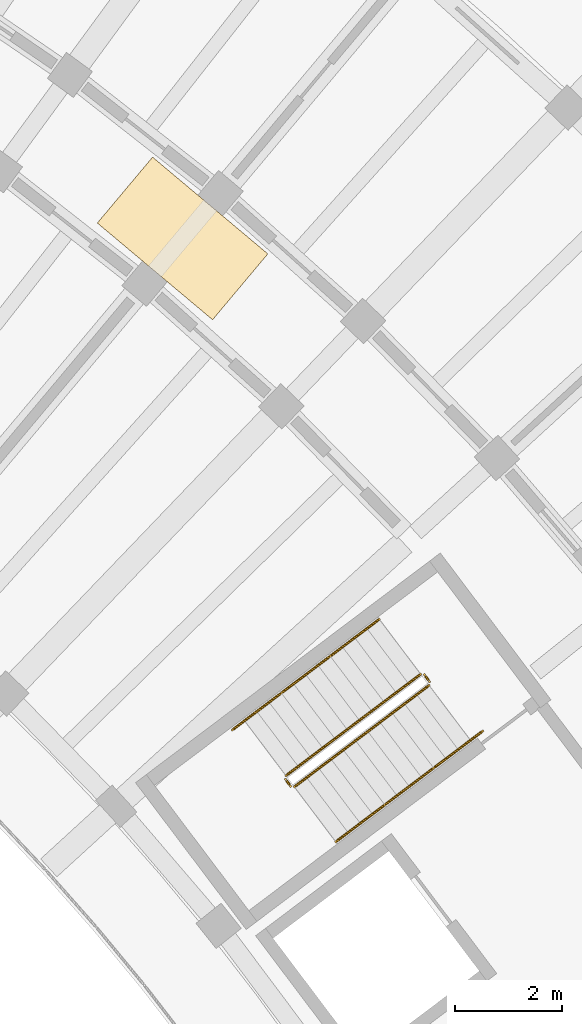
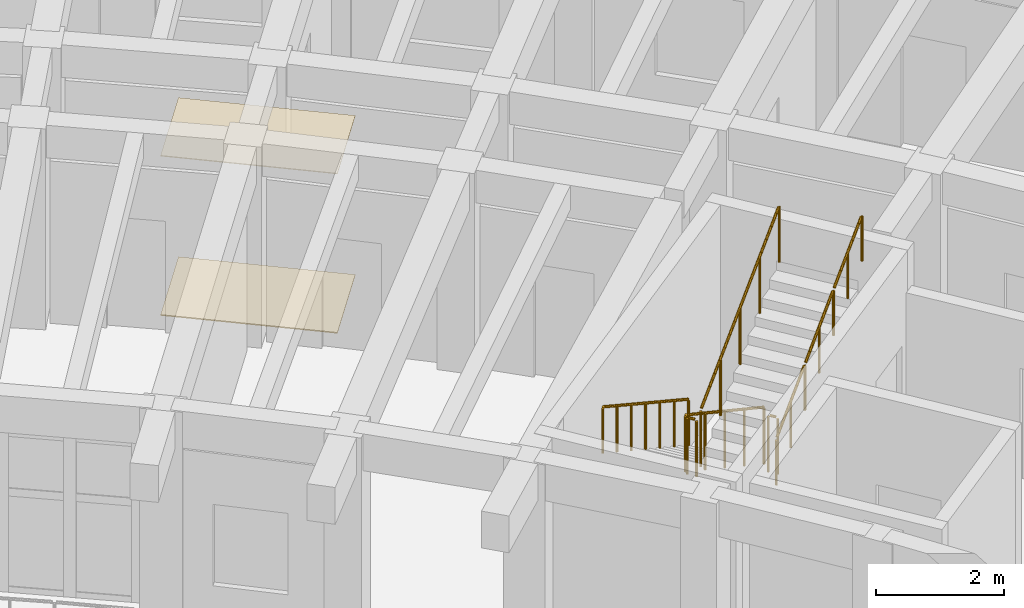
# One storey, part 125 of 128: 10 railings, 2 coverings.
"""IFC4 building model written with IfcOpenShell, lengths in metres."""

from ifc_helpers import new_model, si_unit, direction, frame, origin, origin_2d, place, context, subcontext, project, spatial, rectangle, circle, extrude, material, layer, layer_set, type_object, element, save


model = new_model("IFC4")

# Units and contexts
model_context = context("Model", 3, precision=1e-05, world=origin(), true_north=direction((0.0, 1.0)))
body_context = subcontext(model_context, "Body", "Model", "MODEL_VIEW")
ifc_project = project(units=[si_unit("LENGTHUNIT", "METRE"), si_unit("AREAUNIT", "SQUARE_METRE"), si_unit("VOLUMEUNIT", "CUBIC_METRE"), si_unit("PLANEANGLEUNIT", "RADIAN"), si_unit("MASSUNIT", "GRAM", prefix="KILO")], contexts=[model_context])

# Site, building, storey
site_placement = place(None, origin())
site = spatial("IfcSite", under=ifc_project, at=site_placement, CompositionType="ELEMENT")
building_placement = place(site_placement, origin())
building = spatial("IfcBuilding", under=site, at=building_placement, Name="Tanwirah Colonnade Gardens", CompositionType="ELEMENT")
storey_placement = place(building_placement, frame((0.0, 0.0, 4.760009765625)))
storey = spatial("IfcBuildingStorey", under=building, at=storey_placement, Name="L01", CompositionType="ELEMENT", Elevation=4.760009765625)

# Coverings
ifc_material_1 = material(Name="Acoustic perforated gypsum ceiling board")
ifc_layer_1 = layer(ifc_material_1, 0.014892578125)
ifc_layer_set_1 = layer_set([ifc_layer_1], Name="Acoustic perforated gypsum ceiling board")
covering_type_1 = type_object("IfcCoveringType", Name="COV-CEIL15", PredefinedType="CEILING", material=ifc_layer_set_1)
covering_1_placement = place(storey_placement, frame((155.03564453125, 100.761962890625, 3.03271484375), z_axis=(0.0, 0.0, 1.0), x_axis=(-0.766044443119, 0.642787609687, 0.0)))
element("IfcCovering", 1, at=covering_1_placement, inside=storey, type_object=covering_type_1, Name="Block B L01 Corridor Acoustic Ceiling", PredefinedType="CEILING", context=body_context, shape_type="SweptSolid", body=[
    extrude(rectangle(XDim=2.800048828125, YDim=1.60009765625, at=origin_2d()), origin(), (0.0, 0.0, 1.0), 0.014892578125),
])
ifc_material_2 = material(Name="Honed Abu Dhabi limestone terrazzo flooring", Category="masonry")
ifc_layer_2 = layer(ifc_material_2, 0.02001953125)
ifc_layer_set_2 = layer_set([ifc_layer_2], Name="Honed Abu Dhabi limestone terrazzo flooring")
covering_type_2 = type_object("IfcCoveringType", Name="COV-FLR20", PredefinedType="FLOORING", material=ifc_layer_set_2)
covering_2_placement = place(storey_placement, frame((155.03564453125, 100.761962890625, 0.0), z_axis=(0.0, 0.0, 1.0), x_axis=(-0.766044443119, 0.642787609687, 0.0)))
element("IfcCovering", 2, at=covering_2_placement, inside=storey, type_object=covering_type_2, Name="Block B L01 Corridor Terrazzo Flooring", PredefinedType="FLOORING", context=body_context, shape_type="SweptSolid", body=[
    extrude(rectangle(XDim=2.800048828125, YDim=1.60009765625, at=origin_2d()), origin(), (0.0, 0.0, 1.0), 0.02001953125),
])

# Railings
ifc_material_3 = material(Name="Powder-coated galvanized steel", Category="steel")
railing_type_1 = type_object("IfcRailingType", Name="GRD-ST110", PredefinedType="GUARDRAIL", material=ifc_material_3)
railing_1_placement = place(storey_placement, frame((159.46435546875, 92.6533203125, 0.169921875)))
element("IfcRailing", 3, at=railing_1_placement, inside=storey, type_object=railing_type_1, Name="L01 ST-B1 stair guard 1", PredefinedType="GUARDRAIL", context=body_context, shape_type="SweptSolid", body=[
    extrude(circle(Radius=0.02392578125, at=origin_2d()), frame((-0.021484375, -0.01611328125, 1.092041015625), z_axis=(-0.685884663563, -0.516804563174, 0.51232340545), x_axis=(0.601780410928, -0.798661591053, 0.0)), (0.0, 0.0, 1.0), 3.587646484375),
    extrude(circle(Radius=0.02099609375, at=origin_2d()), origin(), (0.0, 0.0, 1.0), 1.049072265625),
    extrude(circle(Radius=0.02099609375, at=origin_2d()), frame((-0.6259765625, -0.4716796875, 0.467529296875)), (0.0, 0.0, 1.0), 1.049072265625),
    extrude(circle(Radius=0.02099609375, at=origin_2d()), frame((-1.251953125, -0.943359375, 0.93505859375)), (0.0, 0.0, 1.0), 1.049072265625),
    extrude(circle(Radius=0.02099609375, at=origin_2d()), frame((-1.877685546875, -1.414794921875, 1.402587890625)), (0.0, 0.0, 1.0), 1.049072265625),
    extrude(circle(Radius=0.02099609375, at=origin_2d()), frame((-2.503662109375, -1.886474609375, 1.8701171875)), (0.0, 0.0, 1.0), 1.049072265625),
])
railing_2_placement = place(storey_placement, frame((156.950927734375, 90.69677734375, 2.0400390625)))
element("IfcRailing", 4, at=railing_2_placement, inside=storey, type_object=railing_type_1, Name="L01 ST-B1 stair guard 2", PredefinedType="GUARDRAIL", context=body_context, shape_type="SweptSolid", body=[
    extrude(circle(Radius=0.02392578125, at=origin_2d()), frame((0.018798828125, -0.02490234375, 1.076171875), z_axis=(0.600975757569, -0.799267251183, 0.0), x_axis=(0.799267251183, 0.600975757569, 0.0)), (0.0, 0.0, 1.0), 0.09765625),
    extrude(circle(Radius=0.02099609375, at=origin_2d()), origin(), (0.0, 0.0, 1.0), 1.049072265625),
    extrude(circle(Radius=0.02099609375, at=origin_2d()), frame((0.09619140625, -0.1279296875, 0.0)), (0.0, 0.0, 1.0), 1.049072265625),
])
railing_3_placement = place(storey_placement, frame((157.1171875, 90.55908203125, 2.2099609375)))
element("IfcRailing", 5, at=railing_3_placement, inside=storey, type_object=railing_type_1, Name="L01 ST-B1 stair guard 3", PredefinedType="GUARDRAIL", context=body_context, shape_type="SweptSolid", body=[
    extrude(circle(Radius=0.02392578125, at=origin_2d()), frame((0.021484375, 0.01611328125, 1.092041015625), z_axis=(0.68586095537, 0.51685358002, 0.512305696552), x_axis=(-0.601830084135, 0.79862416056, 0.0)), (0.0, 0.0, 1.0), 3.587890625),
    extrude(circle(Radius=0.02099609375, at=origin_2d()), origin(), (0.0, 0.0, 1.0), 1.049072265625),
    extrude(circle(Radius=0.02099609375, at=origin_2d()), frame((0.6259765625, 0.4716796875, 0.467529296875)), (0.0, 0.0, 1.0), 1.049072265625),
    extrude(circle(Radius=0.02099609375, at=origin_2d()), frame((1.251953125, 0.943359375, 0.93505859375)), (0.0, 0.0, 1.0), 1.049072265625),
    extrude(circle(Radius=0.02099609375, at=origin_2d()), frame((1.877685546875, 1.4150390625, 1.402587890625)), (0.0, 0.0, 1.0), 1.049072265625),
    extrude(circle(Radius=0.02099609375, at=origin_2d()), frame((2.503662109375, 1.88671875, 1.8701171875)), (0.0, 0.0, 1.0), 1.049072265625),
])
railing_4_placement = place(storey_placement, frame((159.534423828125, 92.6435546875, 0.0)))
element("IfcRailing", 6, at=railing_4_placement, inside=storey, type_object=railing_type_1, Name="L01 ST-B1 stair guard 4", PredefinedType="GUARDRAIL", context=body_context, shape_type="SweptSolid", body=[
    extrude(circle(Radius=0.02392578125, at=origin_2d()), frame((0.018798828125, -0.02490234375, 1.076171875), z_axis=(0.601709070646, -0.798715339969, 0.0), x_axis=(0.798715339969, 0.601709070646, 0.0)), (0.0, 0.0, 1.0), 0.097412109375),
    extrude(circle(Radius=0.02099609375, at=origin_2d()), origin(), (0.0, 0.0, 1.0), 1.049072265625),
    extrude(circle(Radius=0.02099609375, at=origin_2d()), frame((0.09619140625, -0.127685546875, 0.0)), (0.0, 0.0, 1.0), 1.049072265625),
])
ifc_material_4 = material(Name="Brushed bronze stainless steel", Category="steel")
railing_type_2 = type_object("IfcRailingType", Name="HR-ST090", PredefinedType="HANDRAIL", material=ifc_material_4)
railing_5_placement = place(storey_placement, frame((158.694091796875, 93.67578125, 0.169921875)))
element("IfcRailing", 7, at=railing_5_placement, inside=storey, type_object=railing_type_2, Name="L01 ST-B1 stair handrail 1", PredefinedType="HANDRAIL", context=body_context, shape_type="SweptSolid", body=[
    extrude(circle(Radius=0.02392578125, at=origin_2d()), frame((-0.021484375, -0.01611328125, 0.89208984375), z_axis=(-0.684211407024, -0.515773200629, 0.515589716744), x_axis=(0.601951180756, -0.798532889733, 0.0)), (0.0, 0.0, 1.0), 1.26806640625),
    extrude(circle(Radius=0.02099609375, at=origin_2d()), origin(), (0.0, 0.0, 1.0), 0.848876953125),
    extrude(circle(Radius=0.02099609375, at=origin_2d()), frame((-0.455078125, -0.34326171875, 0.343017578125)), (0.0, 0.0, 1.0), 0.848876953125),
    extrude(circle(Radius=0.02099609375, at=origin_2d()), frame((-0.910400390625, -0.686279296875, 0.68603515625)), (0.0, 0.0, 1.0), 0.848876953125),
])
railing_6_placement = place(storey_placement, frame((157.78369140625, 92.989501953125, 0.85595703125)))
element("IfcRailing", 8, at=railing_6_placement, inside=storey, type_object=railing_type_2, Name="L01 ST-B1 stair handrail 2", PredefinedType="HANDRAIL", context=body_context, shape_type="SweptSolid", body=[
    extrude(circle(Radius=0.02392578125, at=origin_2d()), frame((-0.021484375, -0.01611328125, 0.89208984375), z_axis=(-0.684276155775, -0.515638508375, 0.515638508375), x_axis=(0.601814606132, -0.798635824294, 0.0)), (0.0, 0.0, 1.0), 1.267822265625),
    extrude(circle(Radius=0.02099609375, at=origin_2d()), origin(), (0.0, 0.0, 1.0), 0.848876953125),
    extrude(circle(Radius=0.02099609375, at=origin_2d()), frame((-0.455078125, -0.343017578125, 0.343017578125)), (0.0, 0.0, 1.0), 0.848876953125),
    extrude(circle(Radius=0.02099609375, at=origin_2d()), frame((-0.910400390625, -0.68603515625, 0.68603515625)), (0.0, 0.0, 1.0), 0.848876953125),
])
railing_7_placement = place(storey_placement, frame((156.873291015625, 92.303466796875, 1.5419921875)))
element("IfcRailing", 9, at=railing_7_placement, inside=storey, type_object=railing_type_2, Name="L01 ST-B1 stair handrail 3", PredefinedType="HANDRAIL", context=body_context, shape_type="SweptSolid", body=[
    extrude(circle(Radius=0.02392578125, at=origin_2d()), frame((-0.021484375, -0.01611328125, 0.89208984375), z_axis=(-0.68437371715, -0.515573765467, 0.515573765467), x_axis=(0.601711682591, -0.798713372264, 0.0)), (0.0, 0.0, 1.0), 1.26806640625),
    extrude(circle(Radius=0.02099609375, at=origin_2d()), origin(), (0.0, 0.0, 1.0), 0.848876953125),
    extrude(circle(Radius=0.02099609375, at=origin_2d()), frame((-0.455322265625, -0.343017578125, 0.343017578125)), (0.0, 0.0, 1.0), 0.848876953125),
    extrude(circle(Radius=0.02099609375, at=origin_2d()), frame((-0.91064453125, -0.68603515625, 0.68603515625)), (0.0, 0.0, 1.0), 0.848876953125),
])
for number, where, name in (
    (10, (157.887451171875, 89.536865234375, 2.2099609375), "L01 ST-B1 stair handrail 4"),
    (11, (158.7978515625, 90.222900390625, 2.89599609375), "L01 ST-B1 stair handrail 5"),
):
    element("IfcRailing", number, at=place(storey_placement, frame(where)), inside=storey, type_object=railing_type_2, Name=name, PredefinedType="HANDRAIL", context=body_context, shape_type="SweptSolid", body=[
        extrude(circle(Radius=0.02392578125, at=origin_2d()), frame((0.021484375, 0.01611328125, 0.89208984375), z_axis=(0.684276155775, 0.515638508375, 0.515638508375), x_axis=(-0.601814606132, 0.798635824294, 0.0)), (0.0, 0.0, 1.0), 1.267822265625),
        extrude(circle(Radius=0.02099609375, at=origin_2d()), origin(), (0.0, 0.0, 1.0), 0.848876953125),
        extrude(circle(Radius=0.02099609375, at=origin_2d()), frame((0.455078125, 0.343017578125, 0.343017578125)), (0.0, 0.0, 1.0), 0.848876953125),
        extrude(circle(Radius=0.02099609375, at=origin_2d()), frame((0.910400390625, 0.68603515625, 0.68603515625)), (0.0, 0.0, 1.0), 0.848876953125),
    ])
railing_8_placement = place(storey_placement, frame((159.708251953125, 90.908935546875, 3.58203125)))
element("IfcRailing", 12, at=railing_8_placement, inside=storey, type_object=railing_type_2, Name="L01 ST-B1 stair handrail 6", PredefinedType="HANDRAIL", context=body_context, shape_type="SweptSolid", body=[
    extrude(circle(Radius=0.02392578125, at=origin_2d()), frame((0.021484375, 0.01611328125, 0.89208984375), z_axis=(0.68437371715, 0.515573765467, 0.515573765467), x_axis=(-0.601711682591, 0.798713372264, 0.0)), (0.0, 0.0, 1.0), 1.26806640625),
    extrude(circle(Radius=0.02099609375, at=origin_2d()), origin(), (0.0, 0.0, 1.0), 0.848876953125),
    extrude(circle(Radius=0.02099609375, at=origin_2d()), frame((0.455322265625, 0.343017578125, 0.343017578125)), (0.0, 0.0, 1.0), 0.848876953125),
    extrude(circle(Radius=0.02099609375, at=origin_2d()), frame((0.91064453125, 0.68603515625, 0.68603515625)), (0.0, 0.0, 1.0), 0.848876953125),
])

save(model, "model.ifc")
